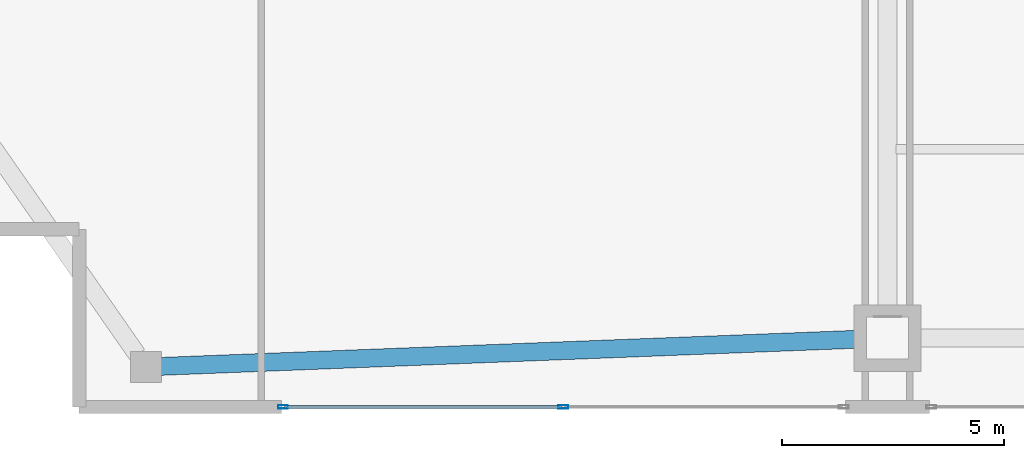
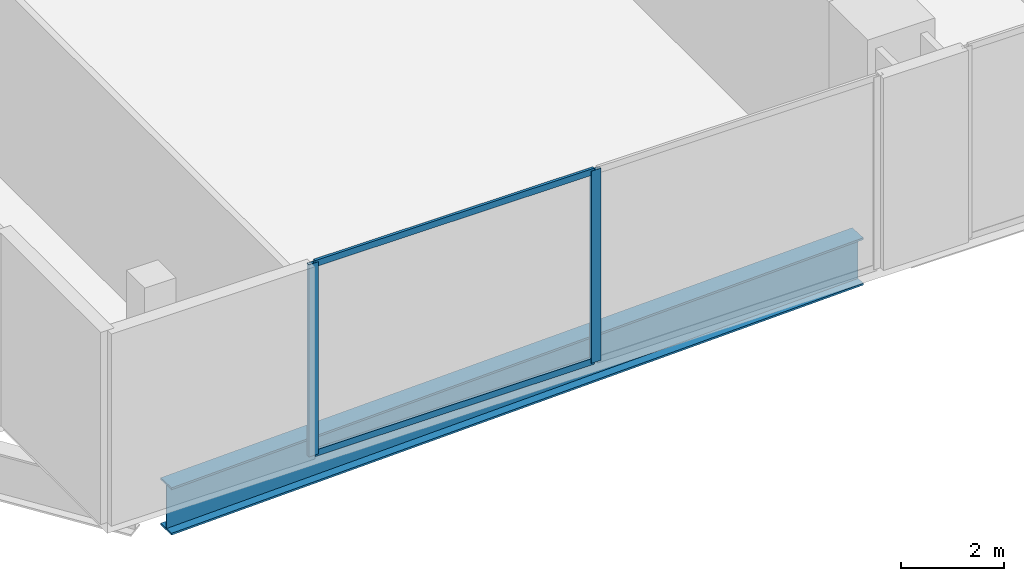
# One storey, part 2 of 33: 4 members, 1 beam, 1 element without a shape of its own.
"""IFC4 building model written with IfcOpenShell, lengths in metres."""

from ifc_helpers import new_model, si_unit, direction, frame, origin, origin_2d, place, context, subcontext, project, spatial, hollow_rectangle, i_section, extrude, material, layer, layer_set, material_profile, profile_set, type_object, element, aggregate, save


model = new_model("IFC4")

# Units and contexts
model_context = context("Model", 3, precision=1e-05, world=origin(), true_north=direction((0.0, 1.0)))
body_context = subcontext(model_context, "Body", "Model", "MODEL_VIEW")
ifc_project = project(units=[si_unit("LENGTHUNIT", "METRE"), si_unit("AREAUNIT", "SQUARE_METRE"), si_unit("VOLUMEUNIT", "CUBIC_METRE"), si_unit("PLANEANGLEUNIT", "RADIAN"), si_unit("MASSUNIT", "GRAM", prefix="KILO")], contexts=[model_context])

# Site, building, storey
site_placement = place(None, origin())
site = spatial("IfcSite", under=ifc_project, at=site_placement, CompositionType="ELEMENT")
building_placement = place(site_placement, origin())
building = spatial("IfcBuilding", under=site, at=building_placement, Name="Zuhayl Quay Hotel", CompositionType="ELEMENT")
storey_placement = place(building_placement, frame((0.0, 0.0, 18.0)))
storey = spatial("IfcBuildingStorey", under=building, at=storey_placement, Name="L03", CompositionType="ELEMENT", Elevation=18.0)

# Beam
ifc_material_1 = material(Name="Steel ASTM A913 Grade 65", Category="steel")
ifc_material_profile_1 = material_profile(ifc_material_1, i_section(OverallWidth=0.404052734375, OverallDepth=1.117919921875, WebThickness=0.026123046875, FlangeThickness=0.044921875, at=origin_2d()), Name="W44X335")
ifc_profile_set_1 = profile_set([ifc_material_profile_1], Name="Steel ASTM A913 Grade 65")
beam_type = type_object("IfcBeamType", Name="BM_TG1_W44X335", PredefinedType="BEAM", material=ifc_profile_set_1)
beam_placement = place(storey_placement, frame((-30.160400390625, -23.0869140625, -0.819091796875), z_axis=(0.999243175194, 0.038898288239, 0.0), x_axis=(-0.038898288239, 0.999243175194, 0.0)))
element("IfcBeam", 1, at=beam_placement, inside=storey, type_object=beam_type, Name="L03 Floor Beam PG_S_L03_0", PredefinedType="BEAM", context=body_context, shape_type="SweptSolid", body=[
    extrude(i_section(OverallWidth=0.404052734375, OverallDepth=1.117919921875, WebThickness=0.026123046875, FlangeThickness=0.044921875, at=origin_2d()), origin(), (0.0, 0.0, 1.0), 15.82275390625),
])

# Curtain wall, members
ifc_material_2 = material(Name="Anodised Aluminium 6063-T6", Category="aluminium")
ifc_layer = layer(ifc_material_2, 0.199951171875, Name="Anodised Aluminium 6063-T6", Category="aluminium")
ifc_layer_set = layer_set([ifc_layer], Name="Anodised Aluminium 6063-T6")
curtain_wall_type = type_object("IfcCurtainWallType", Name="CW_SYS_POD", PredefinedType="USERDEFINED", material=ifc_layer_set)
curtain_wall_placement = place(storey_placement, origin())
curtain_wall = element("IfcCurtainWall", 2, at=curtain_wall_placement, inside=storey, type_object=curtain_wall_type, Name="L03 Curtain Wall ENV_L03_E11_CW5", ObjectType="UNITISED CURTAIN WALL", PredefinedType="USERDEFINED")
ifc_material_3 = material(Name="Black-anodised aluminium 6063-T6", Category="aluminium")
ifc_material_profile_2 = material_profile(ifc_material_3, hollow_rectangle(XDim=0.074951171875, YDim=0.219970703125, WallThickness=0.00390625, at=origin_2d()), Name="ALU220X75")
ifc_profile_set_2 = profile_set([ifc_material_profile_2], Name="Black-anodised aluminium 6063-T6")
member_type_1 = type_object("IfcMemberType", Name="MB_CW_MUL_220", PredefinedType="MULLION", material=ifc_profile_set_2)
member_1_placement = place(storey_placement, frame((-21.10009765625, -24.0, 0.0), z_axis=(0.0, 0.0, 1.0), x_axis=(0.0, -1.0, 0.0)))
member_1 = element("IfcMember", 3, at=member_1_placement, type_object=member_type_1, Name="CW-POD mullion 2", PredefinedType="MULLION", context=body_context, shape_type="SweptSolid", body=[
    extrude(hollow_rectangle(XDim=0.074951171875, YDim=0.219970703125, WallThickness=0.00390625, at=origin_2d()), origin(), (0.0, 0.0, 1.0), 4.5400390625),
])
member_2_placement = place(storey_placement, frame((-27.41259765625, -24.0, 0.0), z_axis=(0.0, 0.0, 1.0), x_axis=(0.0, -1.0, 0.0)))
member_2 = element("IfcMember", 4, at=member_2_placement, type_object=member_type_1, Name="CW-POD mullion 3", PredefinedType="MULLION", context=body_context, shape_type="SweptSolid", body=[
    extrude(hollow_rectangle(XDim=0.074951171875, YDim=0.219970703125, WallThickness=0.00390625, at=origin_2d()), origin(), (0.0, 0.0, 1.0), 4.5400390625),
])
ifc_material_profile_3 = material_profile(ifc_material_3, hollow_rectangle(XDim=0.06005859375, YDim=0.14990234375, WallThickness=0.00341796875, at=origin_2d()), Name="ALU150X60")
ifc_profile_set_3 = profile_set([ifc_material_profile_3], Name="Black-anodised aluminium 6063-T6")
member_type_2 = type_object("IfcMemberType", Name="MB_CW_TRN_150", PredefinedType="USERDEFINED", material=ifc_profile_set_3)
member_3_placement = place(storey_placement, frame((-21.137451171875, -24.0, 0.030029296875), z_axis=(-1.0, 0.0, 0.0), x_axis=(0.0, -1.0, 0.0)))
member_3 = element("IfcMember", 5, at=member_3_placement, type_object=member_type_2, Name="CW-POD transom 2.1", ObjectType="TRANSOM", PredefinedType="USERDEFINED", context=body_context, shape_type="SweptSolid", body=[
    extrude(hollow_rectangle(XDim=0.06005859375, YDim=0.14990234375, WallThickness=0.00341796875, at=origin_2d()), origin(), (0.0, 0.0, 1.0), 6.237548828125),
])
member_4_placement = place(storey_placement, frame((-21.137451171875, -24.0, 4.510009765625), z_axis=(-1.0, 0.0, 0.0), x_axis=(0.0, -1.0, 0.0)))
member_4 = element("IfcMember", 6, at=member_4_placement, type_object=member_type_2, Name="CW-POD transom 2.2", ObjectType="TRANSOM", PredefinedType="USERDEFINED", context=body_context, shape_type="SweptSolid", body=[
    extrude(hollow_rectangle(XDim=0.06005859375, YDim=0.14990234375, WallThickness=0.00341796875, at=origin_2d()), origin(), (0.0, 0.0, 1.0), 6.237548828125),
])
aggregate(curtain_wall, [member_1, member_2, member_3, member_4])

save(model, "model.ifc")
